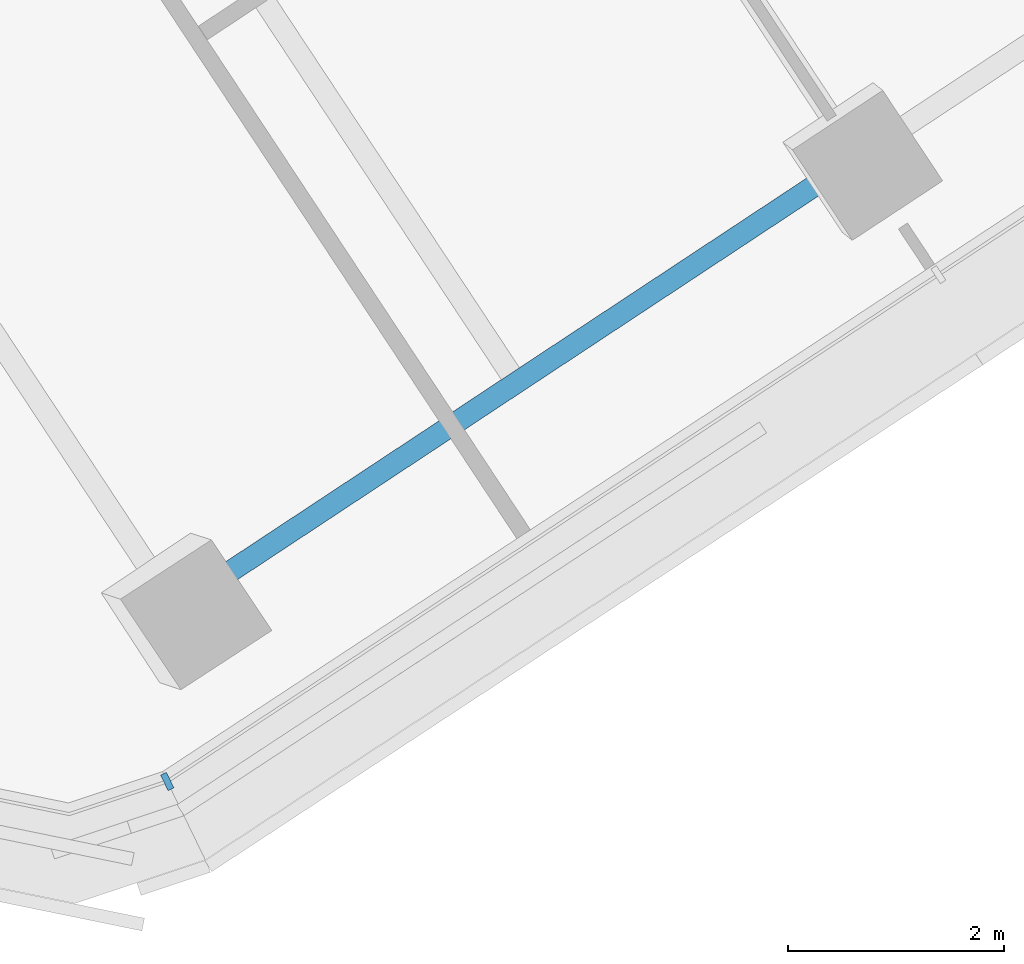
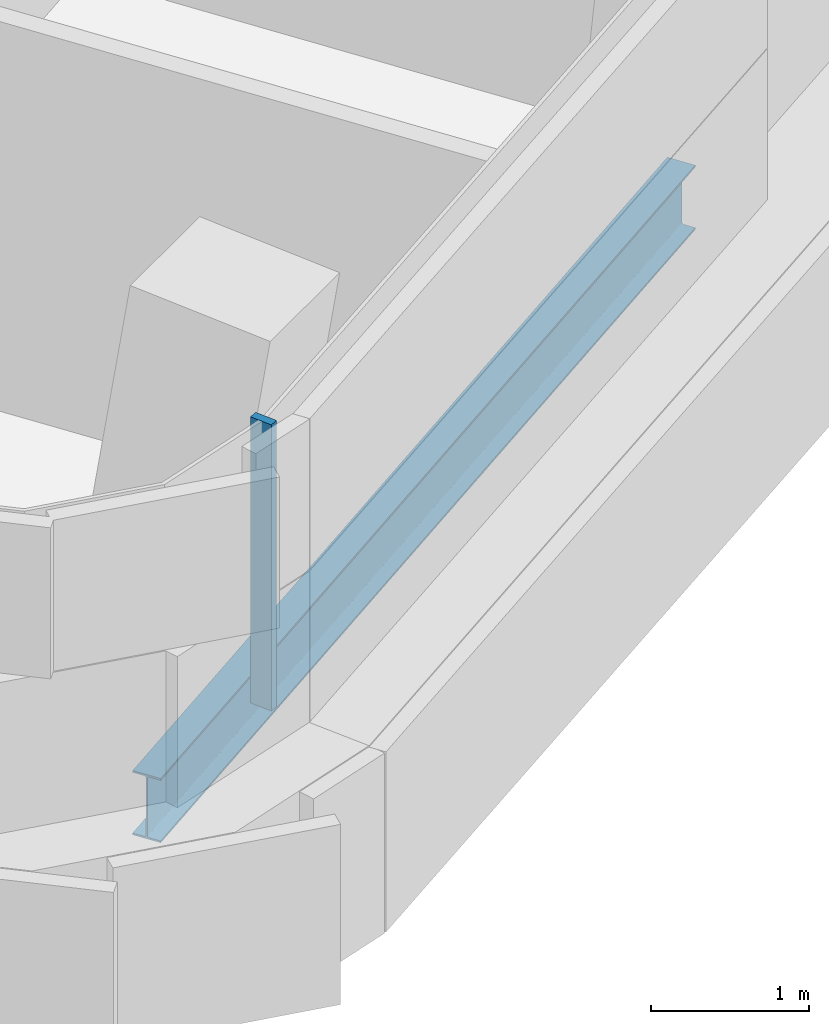
# One storey, part 2 of 35: 1 beam, 1 member, 1 element without a shape of its own.
"""IFC4 building model written with IfcOpenShell, lengths in metres."""

from ifc_helpers import new_model, si_unit, direction, frame, origin, origin_2d, place, context, subcontext, project, spatial, rectangle, i_section, extrude, material, layer, layer_set, material_profile, profile_set, type_object, element, aggregate, save


model = new_model("IFC4")

# Units and contexts
model_context = context("Model", 3, precision=1e-05, world=origin(), true_north=direction((0.0, 1.0)))
body_context = subcontext(model_context, "Body", "Model", "MODEL_VIEW")
ifc_project = project(units=[si_unit("LENGTHUNIT", "METRE"), si_unit("AREAUNIT", "SQUARE_METRE"), si_unit("VOLUMEUNIT", "CUBIC_METRE"), si_unit("PLANEANGLEUNIT", "RADIAN"), si_unit("MASSUNIT", "GRAM", prefix="KILO")], contexts=[model_context])

# Site, building, storey
site_placement = place(None, origin())
site = spatial("IfcSite", under=ifc_project, at=site_placement, CompositionType="ELEMENT")
building_placement = place(site_placement, origin())
building = spatial("IfcBuilding", under=site, at=building_placement, Name="Tamarind Cross Interchange Tower", CompositionType="ELEMENT")
storey_placement = place(building_placement, frame((0.0, 0.0, 155.5)))
storey = spatial("IfcBuildingStorey", under=building, at=storey_placement, Name="L38", CompositionType="ELEMENT", Elevation=155.5)

# Beam
ifc_material_1 = material(Name="Steel Q355B", Category="steel")
ifc_material_profile_1 = material_profile(ifc_material_1, i_section(OverallWidth=0.198974609375, OverallDepth=0.49609375, WebThickness=0.009033203125, FlangeThickness=0.013916015625, FilletRadius=0.012939453125, at=origin_2d()), Name="HN 496x199x9x14")
ifc_profile_set_1 = profile_set([ifc_material_profile_1], Name="Steel Q355B")
beam_type = type_object("IfcBeamType", Name="Composite beam HN 496x199x9x14 Q355B", PredefinedType="BEAM", material=ifc_profile_set_1)
beam_placement = place(storey_placement, frame((-39.721923828125, -18.291015625, -0.387939453125), z_axis=(0.834513872621, 0.55098692943, 0.0), x_axis=(-0.55098692943, 0.834513872621, 0.0)))
element("IfcBeam", 1, at=beam_placement, inside=storey, type_object=beam_type, Name="Beam W-edgeep2", PredefinedType="BEAM", context=body_context, shape_type="SweptSolid", body=[
    extrude(i_section(OverallWidth=0.198974609375, OverallDepth=0.49609375, WebThickness=0.009033203125, FlangeThickness=0.013916015625, FilletRadius=0.012939453125, at=origin_2d()), origin(), (0.0, 0.0, 1.0), 7.567138671875),
])

# Curtain wall, member
ifc_material_2 = material(Name="Aluminium 6063-T6", Category="aluminium")
ifc_layer = layer(ifc_material_2, 0.159912109375)
ifc_layer_set = layer_set([ifc_layer], Name="Aluminium 6063-T6")
curtain_wall_type = type_object("IfcCurtainWallType", Name="Office curtain wall, 9.0 m bays", PredefinedType="NOTDEFINED", material=ifc_layer_set)
curtain_wall_placement = place(storey_placement, origin())
curtain_wall = element("IfcCurtainWall", 2, at=curtain_wall_placement, inside=storey, type_object=curtain_wall_type, Name="CWS-L38-05", PredefinedType="NOTDEFINED")
ifc_material_profile_2 = material_profile(ifc_material_2, rectangle(XDim=0.06005859375, YDim=0.159912109375, at=origin_2d()), Name="Mullion CW1")
ifc_profile_set_2 = profile_set([ifc_material_profile_2], Name="Aluminium 6063-T6")
member_type = type_object("IfcMemberType", Name="Mullion CW1", PredefinedType="MULLION", material=ifc_profile_set_2)
member_placement = place(storey_placement, frame((-39.795166015625, -19.897216796875, 1.39990234375), z_axis=(0.0, 0.0, 1.0), x_axis=(0.89975201525, 0.43640154795, 0.0)))
member = element("IfcMember", 3, at=member_placement, type_object=member_type, Name="CWM-L38-05-00", PredefinedType="MULLION", context=body_context, shape_type="SweptSolid", body=[
    extrude(rectangle(XDim=0.06005859375, YDim=0.159912109375, at=origin_2d()), origin(), (0.0, 0.0, 1.0), 2.210205078125),
])
aggregate(curtain_wall, [member])

save(model, "model.ifc")
